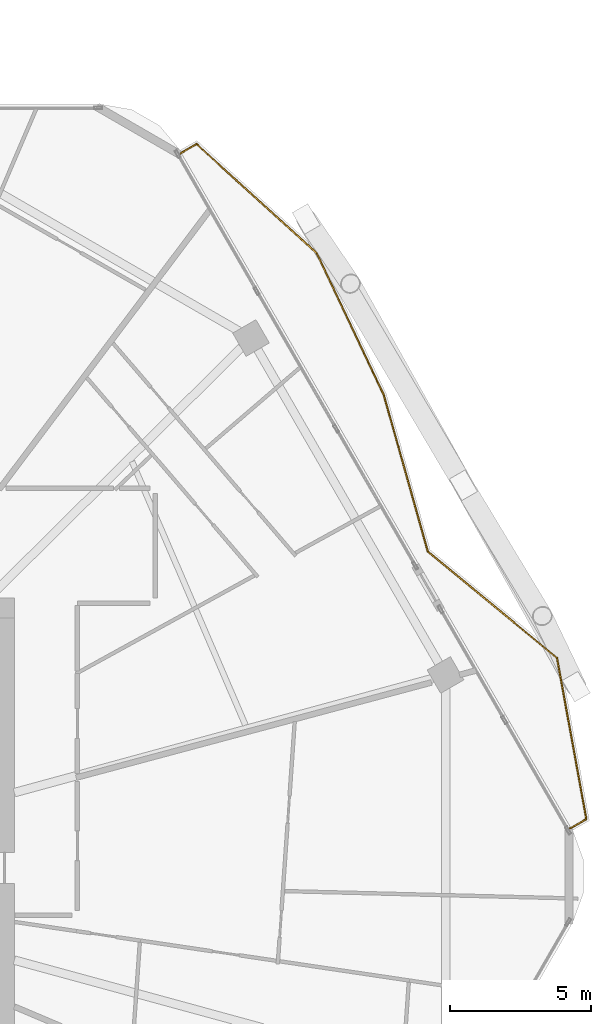
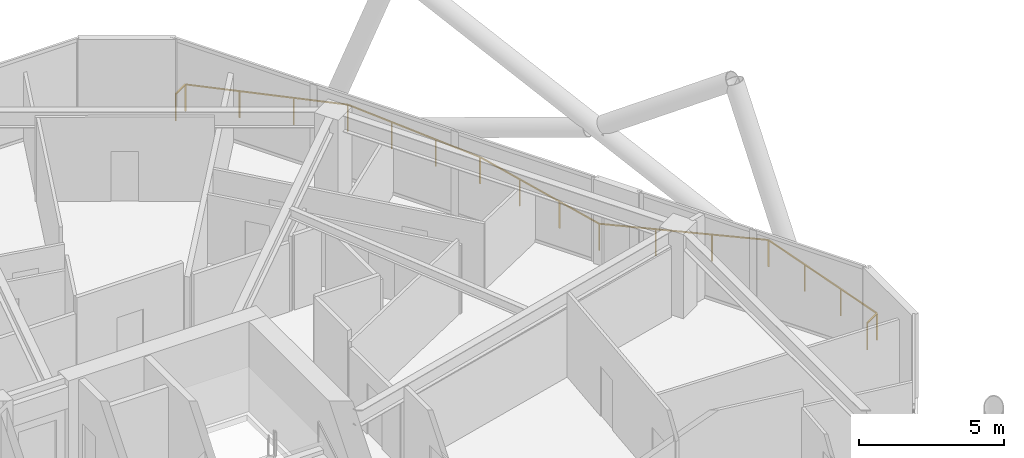
# One storey, part 29 of 29: 1 railing.
"""IFC4 building model written with IfcOpenShell, lengths in metres."""

from ifc_helpers import new_model, si_unit, direction, frame, origin, origin_2d, place, context, subcontext, project, spatial, rectangle, extrude, material, type_object, element, save


model = new_model("IFC4")

# Units and contexts
model_context = context("Model", 3, precision=1e-05, world=origin(), true_north=direction((0.0, 1.0)))
body_context = subcontext(model_context, "Body", "Model", "MODEL_VIEW")
ifc_project = project(units=[si_unit("LENGTHUNIT", "METRE"), si_unit("AREAUNIT", "SQUARE_METRE"), si_unit("VOLUMEUNIT", "CUBIC_METRE"), si_unit("PLANEANGLEUNIT", "RADIAN"), si_unit("MASSUNIT", "GRAM", prefix="KILO")], contexts=[model_context])

# Site, building, storey
site_placement = place(None, origin())
site = spatial("IfcSite", under=ifc_project, at=site_placement, CompositionType="ELEMENT")
building_placement = place(site_placement, origin())
building = spatial("IfcBuilding", under=site, at=building_placement, Name="Zuhravey Tower", CompositionType="ELEMENT")
storey_placement = place(building_placement, frame((0.0, 0.0, 192.199951171875)))
storey = spatial("IfcBuildingStorey", under=building, at=storey_placement, Name="L48", CompositionType="ELEMENT", Elevation=192.199951171875)

# Railing
ifc_material = material(Name="Stainless steel 316 and laminated glass", Category="steel")
railing_type = type_object("IfcRailingType", Name="Balcony & Terrace Guardrail 1150", PredefinedType="BALUSTRADE", material=ifc_material)
railing_placement = place(storey_placement, frame((52.719970703125, 57.576416015625, 0.0)))
element("IfcRailing", 1, at=railing_placement, inside=storey, type_object=railing_type, Name="L48 Face 1 Wave Balcony Guardrail GR1", PredefinedType="BALUSTRADE", context=body_context, shape_type="SweptSolid", body=[
    extrude(rectangle(XDim=0.048095703125, YDim=0.048095703125, at=origin_2d()), frame((0.001708984375, 0.0009765625, 1.1259765625), z_axis=(0.866027105532, 0.499997052475, 0.0), x_axis=(-0.499997052475, 0.866027105532, 0.0)), (0.0, 0.0, 1.0), 0.6630859375),
    extrude(rectangle(XDim=0.048095703125, YDim=0.048095703125, at=origin_2d()), frame((0.5791015625, 0.33203125, 1.1259765625), z_axis=(0.740149800828, -0.672442021541, 0.0), x_axis=(0.672442021541, 0.740149800828, 0.0)), (0.0, 0.0, 1.0), 5.736328125),
    extrude(rectangle(XDim=0.048095703125, YDim=0.048095703125, at=origin_2d()), frame((4.827392578125, -3.5283203125, 1.1259765625), z_axis=(0.428167707471, -0.903699294168, 0.0), x_axis=(0.903699294168, 0.428167707471, 0.0)), (0.0, 0.0, 1.0), 5.542236328125),
    extrude(rectangle(XDim=0.048095703125, YDim=0.048095703125, at=origin_2d()), frame((7.20166015625, -8.540771484375, 1.1259765625), z_axis=(0.270814360083, -0.962631592237, 0.0), x_axis=(0.962631592237, 0.270814360083, 0.0)), (0.0, 0.0, 1.0), 5.752197265625),
    extrude(rectangle(XDim=0.048095703125, YDim=0.048095703125, at=origin_2d()), frame((8.761474609375, -14.0810546875, 1.1259765625), z_axis=(0.77144001651, -0.636302051644, 0.0), x_axis=(0.636302051644, 0.77144001651, 0.0)), (0.0, 0.0, 1.0), 5.921630859375),
    extrude(rectangle(XDim=0.048095703125, YDim=0.048095703125, at=origin_2d()), frame((13.33154296875, -17.852294921875, 1.1259765625), z_axis=(0.179222887561, -0.983808495884, 0.0), x_axis=(0.983808495884, 0.179222887561, 0.0)), (0.0, 0.0, 1.0), 5.78955078125),
    extrude(rectangle(XDim=0.048095703125, YDim=0.048095703125, at=origin_2d()), frame((14.367919921875, -23.551025390625, 1.1259765625), z_axis=(-0.865966883336, -0.500101346695, 0.0), x_axis=(0.500101346695, -0.865966883336, 0.0)), (0.0, 0.0, 1.0), 0.665283203125),
    extrude(rectangle(XDim=0.0419921875, YDim=0.0419921875, at=origin_2d()), origin(), (0.0, 0.0, 1.0), 1.099853515625),
    extrude(rectangle(XDim=0.0419921875, YDim=0.0419921875, at=origin_2d()), frame((0.57763671875, 0.33349609375, 0.0)), (0.0, 0.0, 1.0), 1.099853515625),
    extrude(rectangle(XDim=0.0419921875, YDim=0.0419921875, at=origin_2d()), frame((1.993896484375, -0.953125, 0.0)), (0.0, 0.0, 1.0), 1.099853515625),
    extrude(rectangle(XDim=0.0419921875, YDim=0.0419921875, at=origin_2d()), frame((3.41015625, -2.239990234375, 0.0)), (0.0, 0.0, 1.0), 1.099853515625),
    extrude(rectangle(XDim=0.0419921875, YDim=0.0419921875, at=origin_2d()), frame((4.826416015625, -3.526611328125, 0.0)), (0.0, 0.0, 1.0), 1.099853515625),
    extrude(rectangle(XDim=0.0419921875, YDim=0.0419921875, at=origin_2d()), frame((5.617919921875, -5.197265625, 0.0)), (0.0, 0.0, 1.0), 1.099853515625),
    extrude(rectangle(XDim=0.0419921875, YDim=0.0419921875, at=origin_2d()), frame((6.40966796875, -6.8681640625, 0.0)), (0.0, 0.0, 1.0), 1.099853515625),
    extrude(rectangle(XDim=0.0419921875, YDim=0.0419921875, at=origin_2d()), frame((7.201171875, -8.538818359375, 0.0)), (0.0, 0.0, 1.0), 1.099853515625),
    extrude(rectangle(XDim=0.0419921875, YDim=0.0419921875, at=origin_2d()), frame((7.720703125, -10.3857421875, 0.0)), (0.0, 0.0, 1.0), 1.099853515625),
    extrude(rectangle(XDim=0.0419921875, YDim=0.0419921875, at=origin_2d()), frame((8.240478515625, -12.23291015625, 0.0)), (0.0, 0.0, 1.0), 1.099853515625),
    extrude(rectangle(XDim=0.0419921875, YDim=0.0419921875, at=origin_2d()), frame((8.760009765625, -14.079833984375, 0.0)), (0.0, 0.0, 1.0), 1.099853515625),
    extrude(rectangle(XDim=0.0419921875, YDim=0.0419921875, at=origin_2d()), frame((10.28369140625, -15.336669921875, 0.0)), (0.0, 0.0, 1.0), 1.099853515625),
    extrude(rectangle(XDim=0.0419921875, YDim=0.0419921875, at=origin_2d()), frame((11.8076171875, -16.593505859375, 0.0)), (0.0, 0.0, 1.0), 1.099853515625),
    extrude(rectangle(XDim=0.0419921875, YDim=0.0419921875, at=origin_2d()), frame((13.331298828125, -17.850341796875, 0.0)), (0.0, 0.0, 1.0), 1.099853515625),
    extrude(rectangle(XDim=0.0419921875, YDim=0.0419921875, at=origin_2d()), frame((13.677490234375, -19.750244140625, 0.0)), (0.0, 0.0, 1.0), 1.099853515625),
    extrude(rectangle(XDim=0.0419921875, YDim=0.0419921875, at=origin_2d()), frame((14.0234375, -21.650146484375, 0.0)), (0.0, 0.0, 1.0), 1.099853515625),
    extrude(rectangle(XDim=0.0419921875, YDim=0.0419921875, at=origin_2d()), frame((14.36962890625, -23.550048828125, 0.0)), (0.0, 0.0, 1.0), 1.099853515625),
    extrude(rectangle(XDim=0.0419921875, YDim=0.0419921875, at=origin_2d()), frame((13.7900390625, -23.884765625, 0.0)), (0.0, 0.0, 1.0), 1.099853515625),
])

save(model, "model.ifc")
